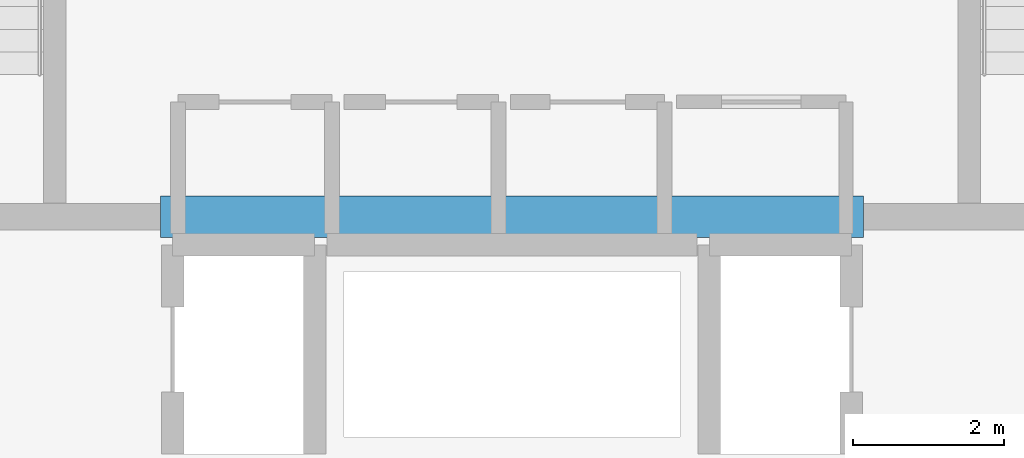
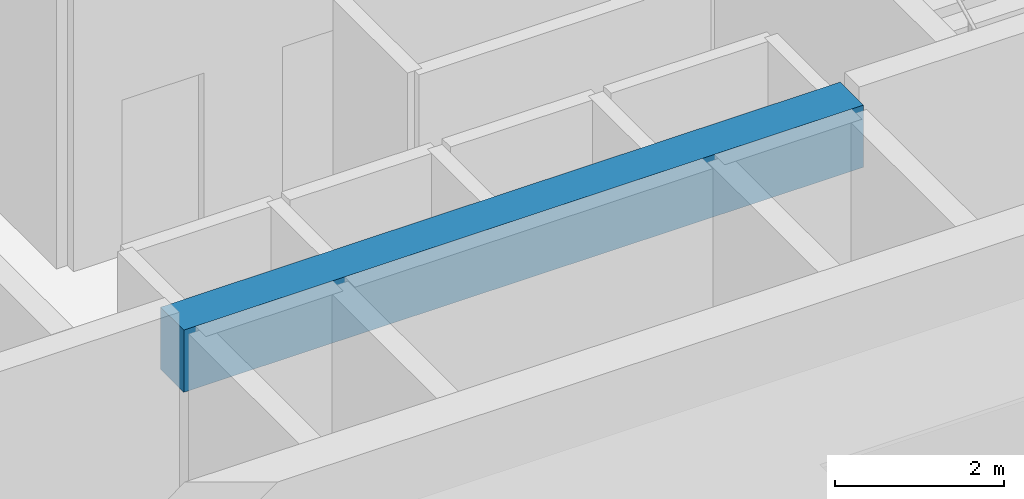
# One storey, part 10 of 42: 1 beam.
"""IFC4 building model written with IfcOpenShell, lengths in metres."""

from ifc_helpers import new_model, si_unit, direction, frame, origin, origin_2d, place, context, subcontext, project, spatial, rectangle, extrude, material, material_profile, profile_set, type_object, element, save


model = new_model("IFC4")

# Units and contexts
model_context = context("Model", 3, precision=1e-05, world=origin(), true_north=direction((0.0, 1.0)))
body_context = subcontext(model_context, "Body", "Model", "MODEL_VIEW")
ifc_project = project(units=[si_unit("LENGTHUNIT", "METRE"), si_unit("AREAUNIT", "SQUARE_METRE"), si_unit("VOLUMEUNIT", "CUBIC_METRE"), si_unit("PLANEANGLEUNIT", "RADIAN"), si_unit("MASSUNIT", "GRAM", prefix="KILO")], contexts=[model_context])

# Site, building, storey
site_placement = place(None, origin())
site = spatial("IfcSite", under=ifc_project, at=site_placement, CompositionType="ELEMENT")
building_placement = place(site_placement, origin())
building = spatial("IfcBuilding", under=site, at=building_placement, Name="Punatoya Terracotta Tower", CompositionType="ELEMENT")
storey_placement = place(building_placement, frame((0.0, 0.0, 296.39990234375)))
storey = spatial("IfcBuildingStorey", under=building, at=storey_placement, Name="L70", CompositionType="ELEMENT", Elevation=296.39990234375)

# Beam
ifc_material = material(Name="Concrete C50/60", Category="concrete")
ifc_material_profile = material_profile(ifc_material, rectangle(XDim=0.550048828125, YDim=0.89990234375, at=origin_2d()))
ifc_profile_set = profile_set([ifc_material_profile], Name="Concrete C50/60")
beam_type = type_object("IfcBeamType", Name="BM-RC-900", PredefinedType="LINTEL", material=ifc_profile_set)
beam_placement = place(storey_placement, frame((-4.64990234375, -5.679931640625, 3.550048828125), z_axis=(1.0, 0.0, 0.0), x_axis=(0.0, 1.0, 0.0)))
element("IfcBeam", 1, at=beam_placement, inside=storey, type_object=beam_type, Name="L70 Core Coupling Lintel CSW", PredefinedType="LINTEL", context=body_context, shape_type="SweptSolid", body=[
    extrude(rectangle(XDim=0.550048828125, YDim=0.89990234375, at=origin_2d()), origin(), (0.0, 0.0, 1.0), 9.2998046875),
])

save(model, "model.ifc")
